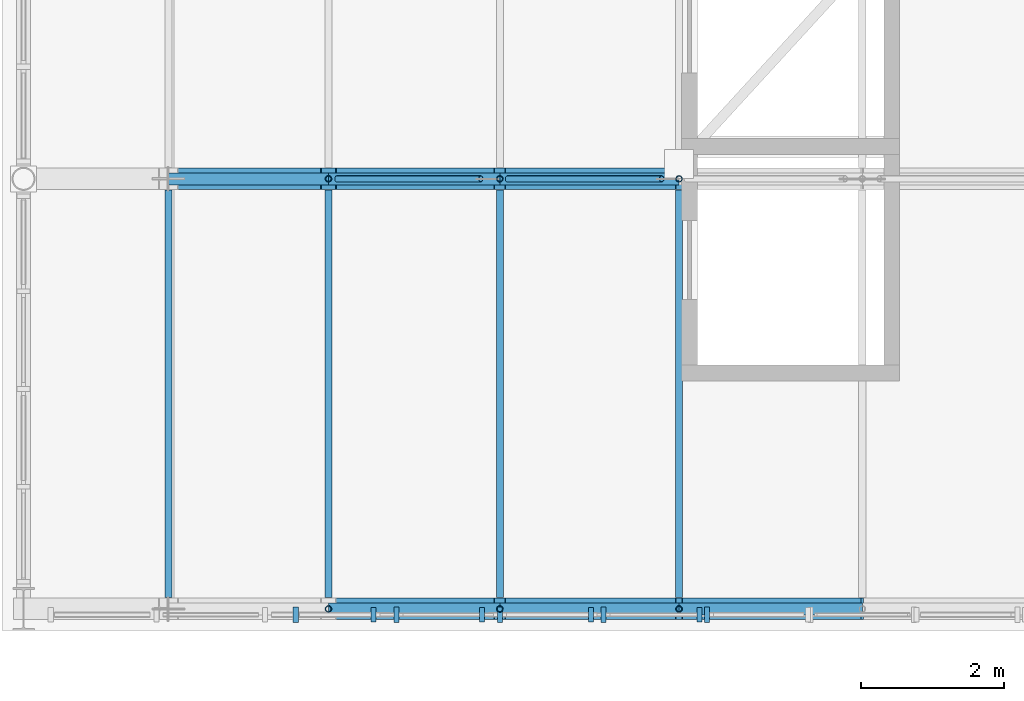
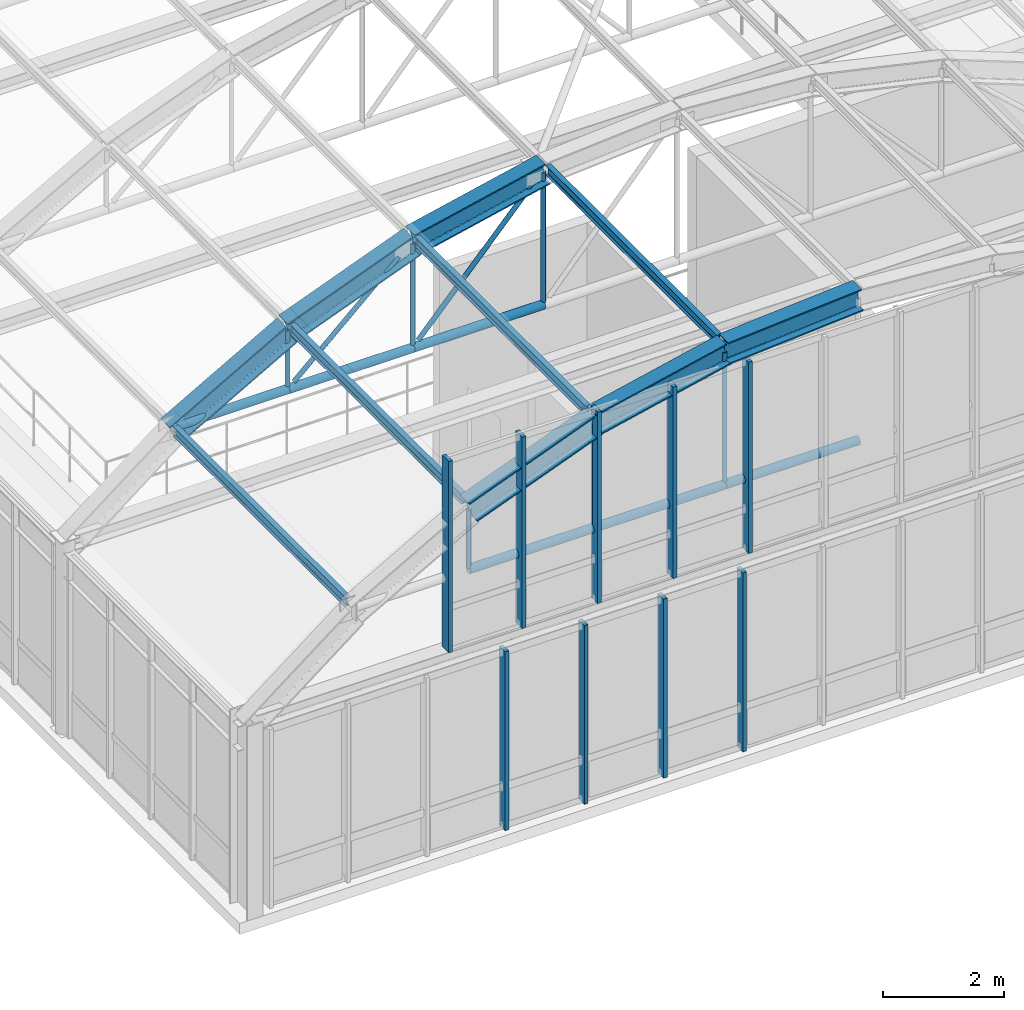
# One storey, part 30 of 148: 23 members, 10 beams, 2 elements without a shape of their own.
"""IFC4 building model written with IfcOpenShell, lengths in metres."""

from ifc_helpers import new_model, si_unit, direction, frame, origin, origin_2d, place, context, subcontext, project, spatial, rectangle, hollow_circle, i_section, extrude, material, layer, layer_set, material_profile, profile_set, type_object, element, aggregate, save


model = new_model("IFC4")

# Units and contexts
model_context = context("Model", 3, precision=1e-05, world=origin(), true_north=direction((0.0, 1.0)))
body_context = subcontext(model_context, "Body", "Model", "MODEL_VIEW")
ifc_project = project(units=[si_unit("LENGTHUNIT", "METRE"), si_unit("AREAUNIT", "SQUARE_METRE"), si_unit("VOLUMEUNIT", "CUBIC_METRE"), si_unit("PLANEANGLEUNIT", "RADIAN"), si_unit("MASSUNIT", "GRAM", prefix="KILO"), si_unit("THERMODYNAMICTEMPERATUREUNIT", "KELVIN"), si_unit("POWERUNIT", "WATT")], contexts=[model_context])

# Site, building, storey
site_placement = place(None, origin())
site = spatial("IfcSite", under=ifc_project, at=site_placement, CompositionType="ELEMENT")
building_placement = place(site_placement, origin())
building = spatial("IfcBuilding", under=site, at=building_placement, Name="Solvatero Civic Police Headquarters", CompositionType="ELEMENT")
storey_placement = place(building_placement, frame((0.0, 0.0, 5.10009765625)))
storey = spatial("IfcBuildingStorey", under=building, at=storey_placement, Name="L01", CompositionType="ELEMENT", Elevation=5.10009765625)

# Beams
ifc_material_1 = material(Name="Steel S355", Category="steel")
ifc_material_profile_1 = material_profile(ifc_material_1, i_section(OverallWidth=0.300048828125, OverallDepth=0.449951171875, WebThickness=0.013916015625, FlangeThickness=0.02587890625, FilletRadius=0.027099609375, at=origin_2d()), Name="HEB 450")
ifc_profile_set_1 = profile_set([ifc_material_profile_1], Name="Steel S355")
beam_type_1 = type_object("IfcBeamType", Name="BM-ST-HEB450", PredefinedType="BEAM", material=ifc_profile_set_1)
beam_1_placement = place(storey_placement, frame((103.053466796875, 4.800048828125, 6.619873046875), z_axis=(0.933355429458, 0.0, 0.358953537802), x_axis=(0.0, 1.0, 0.0)))
element("IfcBeam", 1, at=beam_1_placement, inside=storey, type_object=beam_type_1, Name="VLT1 Tied-Arch Vault Top Chord F1.3", PredefinedType="BEAM", context=body_context, shape_type="SweptSolid", body=[
    extrude(i_section(OverallWidth=0.300048828125, OverallDepth=0.449951171875, WebThickness=0.013916015625, FlangeThickness=0.02587890625, FilletRadius=0.027099609375, at=origin_2d()), origin(), (0.0, 0.0, 1.0), 2.56201171875),
])
beam_2_placement = place(storey_placement, frame((105.44482421875, 4.800048828125, 7.5576171875), z_axis=(0.975854055758, 0.0, 0.218423583574), x_axis=(0.0, 1.0, 0.0)))
element("IfcBeam", 2, at=beam_2_placement, inside=storey, type_object=beam_type_1, Name="VLT1 Tied-Arch Vault Top Chord F1.4", PredefinedType="BEAM", context=body_context, shape_type="SweptSolid", body=[
    extrude(i_section(OverallWidth=0.300048828125, OverallDepth=0.449951171875, WebThickness=0.013916015625, FlangeThickness=0.02587890625, FilletRadius=0.027099609375, at=origin_2d()), origin(), (0.0, 0.0, 1.0), 2.561767578125),
])
for number, where, z_axis, x_axis, name in (
    (3, (107.94482421875, 4.800048828125, 8.1259765625), (0.997304549883, 0.0, 0.073373256584), (0.0, 1.0, 0.0), "VLT1 Tied-Arch Vault Top Chord F1.5"),
    (4, (100.822509765625, 10.800048828125, 5.330322265625), (0.870765086908, 0.0, 0.491699261156), (0.0, 1.0, 0.0), "VLT1 Tied-Arch Vault Top Chord F2.2"),
    (5, (103.053466796875, 10.800048828125, 6.619873046875), (0.933355429458, 0.0, 0.358953537802), (0.0, 1.0, 0.0), "VLT1 Tied-Arch Vault Top Chord F2.3"),
):
    element("IfcBeam", number, at=place(storey_placement, frame(where, z_axis=z_axis, x_axis=x_axis)), inside=storey, type_object=beam_type_1, Name=name, PredefinedType="BEAM", context=body_context, shape_type="SweptSolid", body=[
        extrude(i_section(OverallWidth=0.300048828125, OverallDepth=0.449951171875, WebThickness=0.013916015625, FlangeThickness=0.02587890625, FilletRadius=0.027099609375, at=origin_2d()), origin(), (0.0, 0.0, 1.0), 2.56201171875),
    ])
beam_3_placement = place(storey_placement, frame((105.44482421875, 10.800048828125, 7.5576171875), z_axis=(0.975854055758, 0.0, 0.218423583574), x_axis=(0.0, 1.0, 0.0)))
element("IfcBeam", 6, at=beam_3_placement, inside=storey, type_object=beam_type_1, Name="VLT1 Tied-Arch Vault Top Chord F2.4", PredefinedType="BEAM", context=body_context, shape_type="SweptSolid", body=[
    extrude(i_section(OverallWidth=0.300048828125, OverallDepth=0.449951171875, WebThickness=0.013916015625, FlangeThickness=0.02587890625, FilletRadius=0.027099609375, at=origin_2d()), origin(), (0.0, 0.0, 1.0), 2.561767578125),
])
ifc_material_profile_2 = material_profile(ifc_material_1, i_section(OverallWidth=0.10009765625, OverallDepth=0.199951171875, WebThickness=0.005615234375, FlangeThickness=0.008544921875, FilletRadius=0.011962890625, at=origin_2d()), Name="IPE 200")
ifc_profile_set_2 = profile_set([ifc_material_profile_2], Name="Steel S355")
beam_type_2 = type_object("IfcBeamType", Name="BM-ST-IPE200", PredefinedType="JOIST", material=ifc_profile_set_2)
for number, where, z_axis, x_axis, name in (
    (7, (100.822509765625, 4.9580078125, 5.4326171875), (0.0, 1.0, 0.0), (-1.0, 0.0, 0.0), "VLT1 Vault Roof Purlin B1.1"),
    (8, (103.053466796875, 4.9580078125, 6.721435546875), (0.0, 1.0, 0.0), (-1.0, 0.0, 0.0), "VLT1 Vault Roof Purlin B1.2"),
    (9, (105.44482421875, 4.9580078125, 7.65576171875), (0.0, 1.0, 0.0), (-1.0, 0.0, 0.0), "VLT1 Vault Roof Purlin B1.3"),
    (10, (107.94482421875, 4.9580078125, 8.222900390625), (0.0, 1.0, 0.0), (-1.0, 0.0, 0.0), "VLT1 Vault Roof Purlin B1.4"),
):
    element("IfcBeam", number, at=place(storey_placement, frame(where, z_axis=z_axis, x_axis=x_axis)), inside=storey, type_object=beam_type_2, Name=name, PredefinedType="JOIST", context=body_context, shape_type="SweptSolid", body=[
        extrude(i_section(OverallWidth=0.10009765625, OverallDepth=0.199951171875, WebThickness=0.005615234375, FlangeThickness=0.008544921875, FilletRadius=0.011962890625, at=origin_2d()), origin(), (0.0, 0.0, 1.0), 5.68408203125),
    ])

# Curtain wall, members
ifc_material_2 = material(Name="Anodized Bronze Aluminium", Category="aluminium")
ifc_layer_1 = layer(ifc_material_2, 0.179931640625)
ifc_layer_set_1 = layer_set([ifc_layer_1], Name="Anodized Bronze Aluminium")
curtain_wall_type_1 = type_object("IfcCurtainWallType", Name="CW-HAL-GLZ", PredefinedType="USERDEFINED", material=ifc_layer_set_1)
curtain_wall_1_placement = place(storey_placement, origin())
curtain_wall_1 = element("IfcCurtainWall", 11, at=curtain_wall_1_placement, inside=storey, type_object=curtain_wall_type_1, Name="Curtain Wall CW-R2-L01-V1-S", ObjectType="UNITISED", PredefinedType="USERDEFINED")
ifc_material_profile_3 = material_profile(ifc_material_2, rectangle(XDim=0.070068359375, YDim=0.199951171875, at=origin_2d()), Name="ALU MULLION 70x200")
ifc_profile_set_3 = profile_set([ifc_material_profile_3], Name="Anodized Bronze Aluminium")
member_type_1 = type_object("IfcMemberType", Name="CWM-220x80", PredefinedType="MULLION", material=ifc_profile_set_3)
member_1_placement = place(storey_placement, frame((103.68408203125, 4.719970703125, 0.0), z_axis=(0.0, 0.0, 1.0), x_axis=(1.0, 0.0, 0.0)))
member_1 = element("IfcMember", 12, at=member_1_placement, type_object=member_type_1, Name="CW-R2-L01-V1-S Mullion 4", PredefinedType="MULLION", context=body_context, shape_type="SweptSolid", body=[
    extrude(rectangle(XDim=0.070068359375, YDim=0.199951171875, at=origin_2d()), origin(), (0.0, 0.0, 1.0), 3.619873046875),
])
member_2_placement = place(storey_placement, frame((105.19873046875, 4.719970703125, 0.0), z_axis=(0.0, 0.0, 1.0), x_axis=(1.0, 0.0, 0.0)))
member_2 = element("IfcMember", 13, at=member_2_placement, type_object=member_type_1, Name="CW-R2-L01-V1-S Mullion 5", PredefinedType="MULLION", context=body_context, shape_type="SweptSolid", body=[
    extrude(rectangle(XDim=0.070068359375, YDim=0.199951171875, at=origin_2d()), origin(), (0.0, 0.0, 1.0), 3.619873046875),
])
member_3_placement = place(storey_placement, frame((106.71337890625, 4.719970703125, 0.0), z_axis=(0.0, 0.0, 1.0), x_axis=(1.0, 0.0, 0.0)))
member_3 = element("IfcMember", 14, at=member_3_placement, type_object=member_type_1, Name="CW-R2-L01-V1-S Mullion 6", PredefinedType="MULLION", context=body_context, shape_type="SweptSolid", body=[
    extrude(rectangle(XDim=0.070068359375, YDim=0.199951171875, at=origin_2d()), origin(), (0.0, 0.0, 1.0), 3.619873046875),
])
member_4_placement = place(storey_placement, frame((108.22802734375, 4.719970703125, 0.0), z_axis=(0.0, 0.0, 1.0), x_axis=(1.0, 0.0, 0.0)))
member_4 = element("IfcMember", 15, at=member_4_placement, type_object=member_type_1, Name="CW-R2-L01-V1-S Mullion 7", PredefinedType="MULLION", context=body_context, shape_type="SweptSolid", body=[
    extrude(rectangle(XDim=0.070068359375, YDim=0.199951171875, at=origin_2d()), origin(), (0.0, 0.0, 1.0), 3.619873046875),
])
aggregate(curtain_wall_1, [member_1, member_2, member_3, member_4])

ifc_layer_2 = layer(ifc_material_2, 0.179931640625)
ifc_layer_set_2 = layer_set([ifc_layer_2], Name="Anodized Bronze Aluminium")
curtain_wall_type_2 = type_object("IfcCurtainWallType", Name="CW-VLT-TYMP", PredefinedType="USERDEFINED", material=ifc_layer_set_2)
curtain_wall_2_placement = place(storey_placement, origin())
curtain_wall_2 = element("IfcCurtainWall", 16, at=curtain_wall_2_placement, inside=storey, type_object=curtain_wall_type_2, Name="Curtain Wall CW-R2-L01-VLT1-S", ObjectType="UNITISED", PredefinedType="USERDEFINED")
ifc_material_profile_4 = material_profile(ifc_material_2, rectangle(XDim=0.074951171875, YDim=0.219970703125, at=origin_2d()), Name="ALU MULLION 75x220")
ifc_profile_set_4 = profile_set([ifc_material_profile_4], Name="Anodized Bronze Aluminium")
member_type_2 = type_object("IfcMemberType", Name="CWM-250x85", PredefinedType="MULLION", material=ifc_profile_set_4)
member_5_placement = place(storey_placement, frame((102.60009765625, 4.719970703125, 3.97998046875), z_axis=(0.0, 0.0, 1.0), x_axis=(1.0, 0.0, 0.0)))
member_5 = element("IfcMember", 17, at=member_5_placement, type_object=member_type_2, Name="CW-R2-L01-VLT1-S Mullion 1", PredefinedType="MULLION", context=body_context, shape_type="SweptSolid", body=[
    extrude(rectangle(XDim=0.074951171875, YDim=0.219970703125, at=origin_2d()), origin(), (0.0, 0.0, 1.0), 3.869873046875),
])
member_6_placement = place(storey_placement, frame((104.003662109375, 4.719970703125, 3.97998046875), z_axis=(0.0, 0.0, 1.0), x_axis=(1.0, 0.0, 0.0)))
member_6 = element("IfcMember", 18, at=member_6_placement, type_object=member_type_2, Name="CW-R2-L01-VLT1-S Mullion 2", PredefinedType="MULLION", context=body_context, shape_type="SweptSolid", body=[
    extrude(rectangle(XDim=0.074951171875, YDim=0.219970703125, at=origin_2d()), origin(), (0.0, 0.0, 1.0), 3.869873046875),
])
member_7_placement = place(storey_placement, frame((105.447265625, 4.719970703125, 3.97998046875), z_axis=(0.0, 0.0, 1.0), x_axis=(1.0, 0.0, 0.0)))
member_7 = element("IfcMember", 19, at=member_7_placement, type_object=member_type_2, Name="CW-R2-L01-VLT1-S Mullion 3", PredefinedType="MULLION", context=body_context, shape_type="SweptSolid", body=[
    extrude(rectangle(XDim=0.074951171875, YDim=0.219970703125, at=origin_2d()), origin(), (0.0, 0.0, 1.0), 3.869873046875),
])
member_8_placement = place(storey_placement, frame((106.890869140625, 4.719970703125, 3.97998046875), z_axis=(0.0, 0.0, 1.0), x_axis=(1.0, 0.0, 0.0)))
member_8 = element("IfcMember", 20, at=member_8_placement, type_object=member_type_2, Name="CW-R2-L01-VLT1-S Mullion 4", PredefinedType="MULLION", context=body_context, shape_type="SweptSolid", body=[
    extrude(rectangle(XDim=0.074951171875, YDim=0.219970703125, at=origin_2d()), origin(), (0.0, 0.0, 1.0), 3.869873046875),
])
member_9_placement = place(storey_placement, frame((108.33447265625, 4.719970703125, 3.97998046875), z_axis=(0.0, 0.0, 1.0), x_axis=(1.0, 0.0, 0.0)))
member_9 = element("IfcMember", 21, at=member_9_placement, type_object=member_type_2, Name="CW-R2-L01-VLT1-S Mullion 5", PredefinedType="MULLION", context=body_context, shape_type="SweptSolid", body=[
    extrude(rectangle(XDim=0.074951171875, YDim=0.219970703125, at=origin_2d()), origin(), (0.0, 0.0, 1.0), 3.869873046875),
])
aggregate(curtain_wall_2, [member_5, member_6, member_7, member_8, member_9])

# Members
ifc_material_profile_5 = material_profile(ifc_material_1, hollow_circle(Radius=0.04443359375, WallThickness=0.00634765625, at=origin_2d()), Name="CHS 88.9x6.3")
ifc_profile_set_5 = profile_set([ifc_material_profile_5], Name="Steel S355")
member_type_3 = type_object("IfcMemberType", Name="MB-HNG-CHS89", PredefinedType="STRUT", material=ifc_profile_set_5)
member_10_placement = place(storey_placement, frame((103.053466796875, 4.800048828125, 5.431640625), z_axis=(0.0, 0.0, 1.0), x_axis=(1.0, 0.0, 0.0)))
element("IfcMember", 22, at=member_10_placement, inside=storey, type_object=member_type_3, Name="VLT1 Vault Vertical Hanger F1.2", PredefinedType="STRUT", context=body_context, shape_type="SweptSolid", body=[
    extrude(hollow_circle(Radius=0.04443359375, WallThickness=0.00634765625, at=origin_2d()), origin(), (0.0, 0.0, 1.0), 1.169677734375),
])
member_11_placement = place(storey_placement, frame((105.44482421875, 4.800048828125, 5.431640625), z_axis=(0.0, 0.0, 1.0), x_axis=(1.0, 0.0, 0.0)))
element("IfcMember", 23, at=member_11_placement, inside=storey, type_object=member_type_3, Name="VLT1 Vault Vertical Hanger F1.3", PredefinedType="STRUT", context=body_context, shape_type="SweptSolid", body=[
    extrude(hollow_circle(Radius=0.04443359375, WallThickness=0.00634765625, at=origin_2d()), origin(), (0.0, 0.0, 1.0), 2.08935546875),
])
member_12_placement = place(storey_placement, frame((107.94482421875, 4.800048828125, 5.431640625), z_axis=(0.0, 0.0, 1.0), x_axis=(1.0, 0.0, 0.0)))
element("IfcMember", 24, at=member_12_placement, inside=storey, type_object=member_type_3, Name="VLT1 Vault Vertical Hanger F1.4", PredefinedType="STRUT", context=body_context, shape_type="SweptSolid", body=[
    extrude(hollow_circle(Radius=0.04443359375, WallThickness=0.00634765625, at=origin_2d()), origin(), (0.0, 0.0, 1.0), 2.649169921875),
])
member_13_placement = place(storey_placement, frame((103.171875, 10.800048828125, 5.49951171875), z_axis=(0.739076960519, 0.0, 0.673620996132), x_axis=(0.0, 1.0, 0.0)))
element("IfcMember", 25, at=member_13_placement, inside=storey, type_object=member_type_3, Name="VLT1 Vault Truss Diagonal Web F2.2", PredefinedType="STRUT", context=body_context, shape_type="SweptSolid", body=[
    extrude(hollow_circle(Radius=0.04443359375, WallThickness=0.00634765625, at=origin_2d()), origin(), (0.0, 0.0, 1.0), 2.71533203125),
])
member_14_placement = place(storey_placement, frame((105.552734375, 10.800048828125, 5.509765625), z_axis=(0.674096872288, 0.0, 0.73864294945), x_axis=(0.0, 1.0, 0.0)))
element("IfcMember", 26, at=member_14_placement, inside=storey, type_object=member_type_3, Name="VLT1 Vault Truss Diagonal Web F2.3", PredefinedType="STRUT", context=body_context, shape_type="SweptSolid", body=[
    extrude(hollow_circle(Radius=0.04443359375, WallThickness=0.00634765625, at=origin_2d()), origin(), (0.0, 0.0, 1.0), 3.1884765625),
])
member_15_placement = place(storey_placement, frame((103.053466796875, 10.800048828125, 5.431640625), z_axis=(0.0, 0.0, 1.0), x_axis=(1.0, 0.0, 0.0)))
element("IfcMember", 27, at=member_15_placement, inside=storey, type_object=member_type_3, Name="VLT1 Vault Vertical Hanger F2.2", PredefinedType="STRUT", context=body_context, shape_type="SweptSolid", body=[
    extrude(hollow_circle(Radius=0.04443359375, WallThickness=0.00634765625, at=origin_2d()), origin(), (0.0, 0.0, 1.0), 1.169677734375),
])
member_16_placement = place(storey_placement, frame((105.44482421875, 10.800048828125, 5.431640625), z_axis=(0.0, 0.0, 1.0), x_axis=(1.0, 0.0, 0.0)))
element("IfcMember", 28, at=member_16_placement, inside=storey, type_object=member_type_3, Name="VLT1 Vault Vertical Hanger F2.3", PredefinedType="STRUT", context=body_context, shape_type="SweptSolid", body=[
    extrude(hollow_circle(Radius=0.04443359375, WallThickness=0.00634765625, at=origin_2d()), origin(), (0.0, 0.0, 1.0), 2.08935546875),
])
member_17_placement = place(storey_placement, frame((107.94482421875, 10.800048828125, 5.431640625), z_axis=(0.0, 0.0, 1.0), x_axis=(1.0, 0.0, 0.0)))
element("IfcMember", 29, at=member_17_placement, inside=storey, type_object=member_type_3, Name="VLT1 Vault Vertical Hanger F2.4", PredefinedType="STRUT", context=body_context, shape_type="SweptSolid", body=[
    extrude(hollow_circle(Radius=0.04443359375, WallThickness=0.00634765625, at=origin_2d()), origin(), (0.0, 0.0, 1.0), 2.649169921875),
])
ifc_material_profile_6 = material_profile(ifc_material_1, hollow_circle(Radius=0.084228515625, WallThickness=0.010009765625, at=origin_2d()), Name="CHS 168.3x10.0")
ifc_profile_set_6 = profile_set([ifc_material_profile_6], Name="Steel S355")
member_type_4 = type_object("IfcMemberType", Name="MB-TIE-CHS168", PredefinedType="CHORD", material=ifc_profile_set_6)
member_18_placement = place(storey_placement, frame((103.053466796875, 4.800048828125, 5.3916015625), z_axis=(1.0, 0.0, 0.0), x_axis=(0.0, 1.0, 0.0)))
element("IfcMember", 30, at=member_18_placement, inside=storey, type_object=member_type_4, Name="VLT1 Vault Horizontal Tie Chord F1.2", PredefinedType="CHORD", context=body_context, shape_type="SweptSolid", body=[
    extrude(hollow_circle(Radius=0.084228515625, WallThickness=0.010009765625, at=origin_2d()), origin(), (0.0, 0.0, 1.0), 2.391357421875),
])
member_19_placement = place(storey_placement, frame((105.44482421875, 4.800048828125, 5.3916015625), z_axis=(1.0, 0.0, 0.0), x_axis=(0.0, 1.0, 0.0)))
element("IfcMember", 31, at=member_19_placement, inside=storey, type_object=member_type_4, Name="VLT1 Vault Horizontal Tie Chord F1.3", PredefinedType="CHORD", context=body_context, shape_type="SweptSolid", body=[
    extrude(hollow_circle(Radius=0.084228515625, WallThickness=0.010009765625, at=origin_2d()), origin(), (0.0, 0.0, 1.0), 2.5),
])
member_20_placement = place(storey_placement, frame((107.94482421875, 4.800048828125, 5.3916015625), z_axis=(1.0, 0.0, 0.0), x_axis=(0.0, 1.0, 0.0)))
element("IfcMember", 32, at=member_20_placement, inside=storey, type_object=member_type_4, Name="VLT1 Vault Horizontal Tie Chord F1.4", PredefinedType="CHORD", context=body_context, shape_type="SweptSolid", body=[
    extrude(hollow_circle(Radius=0.084228515625, WallThickness=0.010009765625, at=origin_2d()), origin(), (0.0, 0.0, 1.0), 2.55517578125),
])
member_21_placement = place(storey_placement, frame((100.822509765625, 10.800048828125, 5.3916015625), z_axis=(1.0, 0.0, 0.0), x_axis=(0.0, 1.0, 0.0)))
element("IfcMember", 33, at=member_21_placement, inside=storey, type_object=member_type_4, Name="VLT1 Vault Horizontal Tie Chord F2.1", PredefinedType="CHORD", context=body_context, shape_type="SweptSolid", body=[
    extrude(hollow_circle(Radius=0.084228515625, WallThickness=0.010009765625, at=origin_2d()), origin(), (0.0, 0.0, 1.0), 2.23095703125),
])
member_22_placement = place(storey_placement, frame((103.053466796875, 10.800048828125, 5.3916015625), z_axis=(1.0, 0.0, 0.0), x_axis=(0.0, 1.0, 0.0)))
element("IfcMember", 34, at=member_22_placement, inside=storey, type_object=member_type_4, Name="VLT1 Vault Horizontal Tie Chord F2.2", PredefinedType="CHORD", context=body_context, shape_type="SweptSolid", body=[
    extrude(hollow_circle(Radius=0.084228515625, WallThickness=0.010009765625, at=origin_2d()), origin(), (0.0, 0.0, 1.0), 2.391357421875),
])
member_23_placement = place(storey_placement, frame((105.44482421875, 10.800048828125, 5.3916015625), z_axis=(1.0, 0.0, 0.0), x_axis=(0.0, 1.0, 0.0)))
element("IfcMember", 35, at=member_23_placement, inside=storey, type_object=member_type_4, Name="VLT1 Vault Horizontal Tie Chord F2.3", PredefinedType="CHORD", context=body_context, shape_type="SweptSolid", body=[
    extrude(hollow_circle(Radius=0.084228515625, WallThickness=0.010009765625, at=origin_2d()), origin(), (0.0, 0.0, 1.0), 2.5),
])

save(model, "model.ifc")
